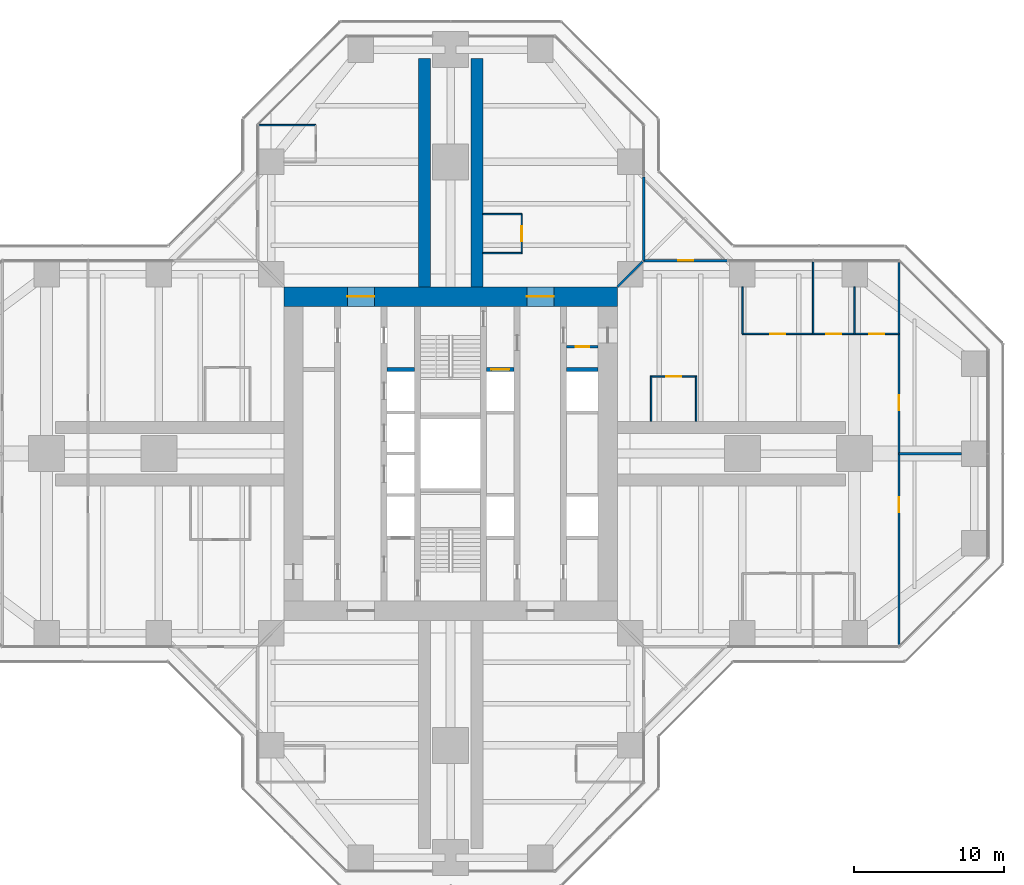
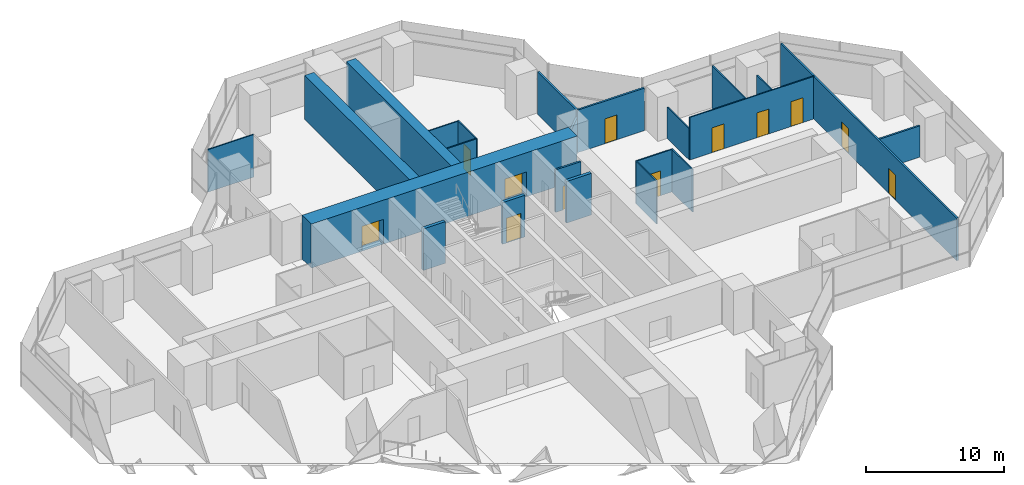
# One storey, part 17 of 20: 23 walls, 12 doors, 12 openings.
"""IFC4 building model written with IfcOpenShell, lengths in metres."""

from ifc_helpers import new_model, si_unit, direction, frame, frame_2d, origin, place, context, subcontext, project, spatial, rectangle, extrude, material, layer, layer_set, type_object, element, fill, save


model = new_model("IFC4")

# Units and contexts
model_context = context("Model", 3, precision=1e-05, world=origin(), true_north=direction((0.0, 1.0)))
body_context = subcontext(model_context, "Body", "Model", "MODEL_VIEW")
ifc_project = project(units=[si_unit("LENGTHUNIT", "METRE"), si_unit("AREAUNIT", "SQUARE_METRE"), si_unit("VOLUMEUNIT", "CUBIC_METRE"), si_unit("PLANEANGLEUNIT", "RADIAN"), si_unit("MASSUNIT", "GRAM", prefix="KILO")], contexts=[model_context])

# Site, building, storey
site_placement = place(None, origin())
site = spatial("IfcSite", under=ifc_project, at=site_placement, CompositionType="ELEMENT")
building_placement = place(site_placement, origin())
building = spatial("IfcBuilding", under=site, at=building_placement, Name="Mizan Broadcast Tower", CompositionType="ELEMENT")
storey_placement = place(building_placement, frame((0.0, 0.0, 147.60009765625)))
storey = spatial("IfcBuildingStorey", under=building, at=storey_placement, Name="L33", CompositionType="ELEMENT", Elevation=147.60009765625)

# Wall, opening, door
ifc_material_1 = material(Name="Concrete blockwork", Category="masonry")
ifc_layer_1 = layer(ifc_material_1, 0.14990234375)
ifc_layer_set_1 = layer_set([ifc_layer_1], Name="Concrete blockwork")
wall_type_1 = type_object("IfcWallType", Name="CORE PARTITION 150", PredefinedType="SOLIDWALL", material=ifc_layer_set_1)
wall_1_placement = place(storey_placement, frame((9.85009765625, 7.14990234375, 0.0), z_axis=(0.0, 0.0, 1.0), x_axis=(-1.0, 0.0, 0.0)))
wall_1 = element("IfcWall", 1, at=wall_1_placement, inside=storey, type_object=wall_type_1, Name="Core partition CORE/XPE", PredefinedType="SOLIDWALL", context=body_context, shape_type="SweptSolid", body=[
    extrude(rectangle(XDim=2.10009765625, YDim=0.14990234375, at=frame_2d((1.050048828125, 0.0))), origin(), (0.0, 0.0, 1.0), 3.77001953125),
])
opening_1_placement = place(wall_1_placement, frame((0.60009765625, 0.0, 0.0)))
opening_1 = element("IfcOpeningElement", 2, at=opening_1_placement, cuts=wall_1, Name="Opening D09F", PredefinedType="OPENING", context=body_context, shape_type="SweptSolid", body=[
    extrude(rectangle(XDim=0.89990234375, YDim=2.10009765625, at=frame_2d((0.449951171875, 1.050048828125))), frame((0.0, 0.0849609375, 0.0), z_axis=(0.0, -1.0, 0.0), x_axis=(1.0, 0.0, 0.0)), (0.0, 0.0, 1.0), 0.169921875),
])
ifc_material_2 = material(Name="Steel door leaf in steel frame", Category="steel")
door_type_1 = type_object("IfcDoorType", Name="CORE ROOM DOOR 900 FD90", OperationType="SINGLE_SWING_LEFT", PredefinedType="DOOR", material=ifc_material_2)
door_1_placement = place(opening_1_placement, origin())
door_1 = element("IfcDoor", 3, at=door_1_placement, inside=storey, type_object=door_type_1, Name="Comms cupboard door", OperationType="SINGLE_SWING_RIGHT", OverallHeight=2.10009765625, OverallWidth=0.89990234375, PredefinedType="DOOR", context=body_context, shape_type="SweptSolid", body=[
    extrude(rectangle(XDim=0.89990234375, YDim=2.10009765625, at=frame_2d((0.449951171875, 1.050048828125))), frame((0.0, 0.02490234375, 0.0), z_axis=(0.0, -1.0, 0.0), x_axis=(1.0, 0.0, 0.0)), (0.0, 0.0, 1.0), 0.050048828125),
])
fill(opening_1, door_1)

# Wall, openings, doors
ifc_material_3 = material(Name="Concrete C70/85", Category="concrete")
ifc_layer_2 = layer(ifc_material_3, 1.300048828125)
ifc_layer_set_2 = layer_set([ifc_layer_2], Name="Concrete C70/85")
wall_type_2 = type_object("IfcWallType", Name="CORE WALL 1300", PredefinedType="SHEAR", material=ifc_layer_set_2)
wall_2_placement = place(storey_placement, frame((-11.14990234375, 10.5, 0.0), z_axis=(0.0, 0.0, 1.0), x_axis=(1.0, 0.0, 0.0)))
wall_2 = element("IfcWall", 4, at=wall_2_placement, inside=storey, type_object=wall_type_2, Name="Core wall N L33", PredefinedType="SHEAR", context=body_context, shape_type="SweptSolid", body=[
    extrude(rectangle(XDim=22.2998046875, YDim=1.300048828125, at=frame_2d((11.14990234375, 0.0))), origin(), (0.0, 0.0, 1.0), 3.89990234375),
])
opening_2_placement = place(wall_2_placement, frame((4.25, 0.0, 0.0)))
opening_2 = element("IfcOpeningElement", 5, at=opening_2_placement, cuts=wall_2, Name="Opening D18F", PredefinedType="OPENING", context=body_context, shape_type="SweptSolid", body=[
    extrude(rectangle(XDim=1.800048828125, YDim=2.199951171875, at=frame_2d((0.89990234375, 1.10009765625))), frame((0.0, 0.659912109375, 0.0), z_axis=(0.0, -1.0, 0.0), x_axis=(1.0, 0.0, 0.0)), (0.0, 0.0, 1.0), 1.320068359375),
])
opening_3_placement = place(wall_2_placement, frame((16.25, 0.0, 0.0)))
opening_3 = element("IfcOpeningElement", 6, at=opening_3_placement, cuts=wall_2, Name="Opening D18F", PredefinedType="OPENING", context=body_context, shape_type="SweptSolid", body=[
    extrude(rectangle(XDim=1.800048828125, YDim=2.199951171875, at=frame_2d((0.89990234375, 1.10009765625))), frame((0.0, 0.659912109375, 0.0), z_axis=(0.0, -1.0, 0.0), x_axis=(1.0, 0.0, 0.0)), (0.0, 0.0, 1.0), 1.320068359375),
])
ifc_material_4 = material(Name="Steel door leaf in steel frame", Category="steel")
door_type_2 = type_object("IfcDoorType", Name="LOBBY DOUBLE DOOR 1800 FD90", OperationType="DOUBLE_DOOR_DOUBLE_SWING", PredefinedType="DOOR", material=ifc_material_4)
door_2_placement = place(opening_2_placement, origin())
door_2 = element("IfcDoor", 7, at=door_2_placement, inside=storey, type_object=door_type_2, Name="West lift lobby north door", OperationType="DOUBLE_DOOR_DOUBLE_SWING", OverallHeight=2.199951171875, OverallWidth=1.800048828125, PredefinedType="DOOR", context=body_context, shape_type="SweptSolid", body=[
    extrude(rectangle(XDim=1.800048828125, YDim=2.199951171875, at=frame_2d((0.89990234375, 1.10009765625))), frame((0.0, 0.02490234375, 0.0), z_axis=(0.0, -1.0, 0.0), x_axis=(1.0, 0.0, 0.0)), (0.0, 0.0, 1.0), 0.050048828125),
])
fill(opening_2, door_2)
door_3_placement = place(opening_3_placement, origin())
door_3 = element("IfcDoor", 8, at=door_3_placement, inside=storey, type_object=door_type_2, Name="East lift lobby north door", OperationType="DOUBLE_DOOR_DOUBLE_SWING", OverallHeight=2.199951171875, OverallWidth=1.800048828125, PredefinedType="DOOR", context=body_context, shape_type="SweptSolid", body=[
    extrude(rectangle(XDim=1.800048828125, YDim=2.199951171875, at=frame_2d((0.89990234375, 1.10009765625))), frame((0.0, 0.02490234375, 0.0), z_axis=(0.0, -1.0, 0.0), x_axis=(1.0, 0.0, 0.0)), (0.0, 0.0, 1.0), 0.050048828125),
])
fill(opening_3, door_3)

# Wall, opening, door
ifc_material_5 = material(Name="Aluminium framed glazed screen", Category="aluminium")
ifc_layer_3 = layer(ifc_material_5, 0.159912109375)
ifc_layer_set_3 = layer_set([ifc_layer_3], Name="Aluminium framed glazed screen")
wall_type_3 = type_object("IfcWallType", Name="GLAZED SCREEN WALL 160", PredefinedType="SOLIDWALL", material=ifc_layer_set_3)
wall_3_placement = place(storey_placement, frame((18.5, 12.89990234375, 0.0), z_axis=(0.0, 0.0, 1.0), x_axis=(-1.0, 0.0, 0.0)))
wall_3 = element("IfcWall", 9, at=wall_3_placement, inside=storey, type_object=wall_type_3, Name="Winter garden screen L33 E", PredefinedType="SOLIDWALL", context=body_context, shape_type="SweptSolid", body=[
    extrude(rectangle(XDim=5.60009765625, YDim=0.159912109375, at=frame_2d((2.800048828125, 0.0))), origin(), (0.0, 0.0, 1.0), 3.77001953125),
])
opening_4_placement = place(wall_3_placement, frame((2.300048828125, 0.0, 0.0)))
opening_4 = element("IfcOpeningElement", 10, at=opening_4_placement, cuts=wall_3, Name="Opening WGD", PredefinedType="OPENING", context=body_context, shape_type="SweptSolid", body=[
    extrude(rectangle(XDim=1.0, YDim=2.199951171875, at=frame_2d((0.5, 1.10009765625))), frame((0.0, 0.08984375, 0.0), z_axis=(0.0, -1.0, 0.0), x_axis=(1.0, 0.0, 0.0)), (0.0, 0.0, 1.0), 0.179931640625),
])
ifc_material_6 = material(Name="Aluminium framed glazed door", Category="aluminium")
door_type_3 = type_object("IfcDoorType", Name="WINTER GARDEN DOOR 1000 GLAZED", OperationType="SINGLE_SWING_LEFT", PredefinedType="DOOR", material=ifc_material_6)
door_4_placement = place(opening_4_placement, origin())
door_4 = element("IfcDoor", 11, at=door_4_placement, inside=storey, type_object=door_type_3, Name="Winter garden door L33 E", OperationType="SINGLE_SWING_RIGHT", OverallHeight=2.199951171875, OverallWidth=1.0, PredefinedType="DOOR", context=body_context, shape_type="SweptSolid", body=[
    extrude(rectangle(XDim=1.0, YDim=2.199951171875, at=frame_2d((0.5, 1.10009765625))), frame((0.0, 0.02490234375, 0.0), z_axis=(0.0, -1.0, 0.0), x_axis=(1.0, 0.0, 0.0)), (0.0, 0.0, 1.0), 0.050048828125),
])
fill(opening_4, door_4)

# Walls
wall_4_placement = place(storey_placement, frame((12.89990234375, 12.89990234375, 0.0), z_axis=(0.0, 0.0, 1.0), x_axis=(0.0, 1.0, 0.0)))
element("IfcWall", 12, at=wall_4_placement, inside=storey, type_object=wall_type_3, Name="Winter garden screen L33 N", PredefinedType="SOLIDWALL", context=body_context, shape_type="SweptSolid", body=[
    extrude(rectangle(XDim=5.60009765625, YDim=0.159912109375, at=frame_2d((2.800048828125, 0.0))), origin(), (0.0, 0.0, 1.0), 3.77001953125),
])
ifc_material_7 = material(Name="Concrete blockwork", Category="masonry")
ifc_layer_4 = layer(ifc_material_7, 0.25)
ifc_layer_set_4 = layer_set([ifc_layer_4], Name="Concrete blockwork")
wall_type_4 = type_object("IfcWallType", Name="LOBBY ENCLOSURE WALL 250", PredefinedType="SOLIDWALL", material=ifc_layer_set_4)
wall_5_placement = place(storey_placement, frame((-4.25, 5.625, 0.0), z_axis=(0.0, 0.0, 1.0), x_axis=(1.0, 0.0, 0.0)))
element("IfcWall", 13, at=wall_5_placement, inside=storey, type_object=wall_type_4, Name="Lobby enclosure wall CORE/BW2N", PredefinedType="SOLIDWALL", context=body_context, shape_type="SweptSolid", body=[
    extrude(rectangle(XDim=1.85009765625, YDim=0.25, at=frame_2d((0.925048828125, 0.0))), origin(), (0.0, 0.0, 1.0), 3.699951171875),
])

# Wall, opening, door
wall_6_placement = place(storey_placement, frame((2.39990234375, 5.625, 0.0), z_axis=(0.0, 0.0, 1.0), x_axis=(1.0, 0.0, 0.0)))
wall_6 = element("IfcWall", 14, at=wall_6_placement, inside=storey, type_object=wall_type_4, Name="Lobby enclosure wall CORE/BE2N", PredefinedType="SOLIDWALL", context=body_context, shape_type="SweptSolid", body=[
    extrude(rectangle(XDim=1.85009765625, YDim=0.25, at=frame_2d((0.925048828125, 0.0))), origin(), (0.0, 0.0, 1.0), 3.699951171875),
])
opening_5_placement = place(wall_6_placement, frame((0.324951171875, 0.0, 0.0)))
opening_5 = element("IfcOpeningElement", 15, at=opening_5_placement, cuts=wall_6, Name="Opening LDF", PredefinedType="OPENING", context=body_context, shape_type="SweptSolid", body=[
    extrude(rectangle(XDim=1.199951171875, YDim=2.199951171875, at=frame_2d((0.60009765625, 1.10009765625))), frame((0.0, 0.135009765625, 0.0), z_axis=(0.0, -1.0, 0.0), x_axis=(1.0, 0.0, 0.0)), (0.0, 0.0, 1.0), 0.27001953125),
])
ifc_material_8 = material(Name="Steel door leaf in steel frame", Category="steel")
door_type_4 = type_object("IfcDoorType", Name="FIREFIGHTING LIFT LANDING DOOR 1200", OperationType="SLIDING_TO_LEFT", PredefinedType="DOOR", material=ifc_material_8)
door_5_placement = place(opening_5_placement, origin())
door_5 = element("IfcDoor", 16, at=door_5_placement, inside=storey, type_object=door_type_4, Name="Landing door FF2", OperationType="SLIDING_TO_LEFT", OverallHeight=2.199951171875, OverallWidth=1.199951171875, PredefinedType="DOOR", context=body_context, shape_type="SweptSolid", body=[
    extrude(rectangle(XDim=1.199951171875, YDim=2.199951171875, at=frame_2d((0.60009765625, 1.10009765625))), frame((0.0, 0.02490234375, 0.0), z_axis=(0.0, -1.0, 0.0), x_axis=(1.0, 0.0, 0.0)), (0.0, 0.0, 1.0), 0.050048828125),
])
fill(opening_5, door_5)

# Wall
wall_7_placement = place(storey_placement, frame((7.75, 5.625, 0.0), z_axis=(0.0, 0.0, 1.0), x_axis=(1.0, 0.0, 0.0)))
element("IfcWall", 17, at=wall_7_placement, inside=storey, type_object=wall_type_4, Name="Lobby enclosure wall CORE/BE1N", PredefinedType="SOLIDWALL", context=body_context, shape_type="SweptSolid", body=[
    extrude(rectangle(XDim=2.10009765625, YDim=0.25, at=frame_2d((1.050048828125, 0.0))), origin(), (0.0, 0.0, 1.0), 3.699951171875),
])

# Wall, openings, doors
ifc_material_9 = material(Name="Gypsum board on steel studs", Category="steel")
ifc_layer_5 = layer(ifc_material_9, 0.14990234375)
ifc_layer_set_5 = layer_set([ifc_layer_5], Name="Gypsum board on steel studs")
wall_type_5 = type_object("IfcWallType", Name="PARTITION 150", PredefinedType="PARTITIONING", material=ifc_layer_set_5)
wall_8_placement = place(storey_placement, frame((29.958984375, -12.786376953125, 0.0), z_axis=(0.0, 0.0, 1.0), x_axis=(0.0, 1.0, 0.0)))
wall_8 = element("IfcWall", 18, at=wall_8_placement, inside=storey, type_object=wall_type_5, Name="Partition PT/EX1", PredefinedType="PARTITIONING", context=body_context, shape_type="SweptSolid", body=[
    extrude(rectangle(XDim=25.57275390625, YDim=0.14990234375, at=frame_2d((12.786376953125, 0.0))), origin(), (0.0, 0.0, 1.0), 3.77001953125),
])
opening_6_placement = place(wall_8_placement, frame((15.6865234375, 0.0, 0.0)))
opening_6 = element("IfcOpeningElement", 19, at=opening_6_placement, cuts=wall_8, Name="Opening D10", PredefinedType="OPENING", context=body_context, shape_type="SweptSolid", body=[
    extrude(rectangle(XDim=1.0, YDim=2.199951171875, at=frame_2d((0.5, 1.10009765625))), frame((0.0, 0.0849609375, 0.0), z_axis=(0.0, -1.0, 0.0), x_axis=(1.0, 0.0, 0.0)), (0.0, 0.0, 1.0), 0.169921875),
])
opening_7_placement = place(wall_8_placement, frame((8.886474609375, 0.0, 0.0)))
opening_7 = element("IfcOpeningElement", 20, at=opening_7_placement, cuts=wall_8, Name="Opening D10", PredefinedType="OPENING", context=body_context, shape_type="SweptSolid", body=[
    extrude(rectangle(XDim=1.0, YDim=2.199951171875, at=frame_2d((0.5, 1.10009765625))), frame((0.0, 0.0849609375, 0.0), z_axis=(0.0, -1.0, 0.0), x_axis=(1.0, 0.0, 0.0)), (0.0, 0.0, 1.0), 0.169921875),
])
ifc_material_10 = material(Name="Timber door leaf in aluminium frame", Category="wood")
door_type_5 = type_object("IfcDoorType", Name="ROOM DOOR 1000", OperationType="SINGLE_SWING_LEFT", PredefinedType="DOOR", material=ifc_material_10)
door_6_placement = place(opening_6_placement, origin())
door_6 = element("IfcDoor", 21, at=door_6_placement, inside=storey, type_object=door_type_5, Name="Open office door", OperationType="SINGLE_SWING_RIGHT", OverallHeight=2.199951171875, OverallWidth=1.0, PredefinedType="DOOR", context=body_context, shape_type="SweptSolid", body=[
    extrude(rectangle(XDim=1.0, YDim=2.199951171875, at=frame_2d((0.5, 1.10009765625))), frame((0.0, 0.02490234375, 0.0), z_axis=(0.0, -1.0, 0.0), x_axis=(1.0, 0.0, 0.0)), (0.0, 0.0, 1.0), 0.050048828125),
])
fill(opening_6, door_6)
door_7_placement = place(opening_7_placement, origin())
door_7 = element("IfcDoor", 22, at=door_7_placement, inside=storey, type_object=door_type_5, Name="Open office door", OperationType="SINGLE_SWING_LEFT", OverallHeight=2.199951171875, OverallWidth=1.0, PredefinedType="DOOR", context=body_context, shape_type="SweptSolid", body=[
    extrude(rectangle(XDim=1.0, YDim=2.199951171875, at=frame_2d((0.5, 1.10009765625))), frame((0.0, 0.02490234375, 0.0), z_axis=(0.0, -1.0, 0.0), x_axis=(1.0, 0.0, 0.0)), (0.0, 0.0, 1.0), 0.050048828125),
])
fill(opening_7, door_7)

# Walls
wall_9_placement = place(storey_placement, frame((29.958984375, 0.0, 0.0), z_axis=(0.0, 0.0, 1.0), x_axis=(1.0, 0.0, 0.0)))
element("IfcWall", 23, at=wall_9_placement, inside=storey, type_object=wall_type_5, Name="Partition PT/EES", PredefinedType="PARTITIONING", context=body_context, shape_type="SweptSolid", body=[
    extrude(rectangle(XDim=4.19091796875, YDim=0.14990234375, at=frame_2d((2.095458984375, 0.0))), origin(), (0.0, 0.0, 1.0), 2.77001953125),
])
wall_10_placement = place(storey_placement, frame((11.14990234375, 11.14990234375, 0.0), z_axis=(0.0, 0.0, 1.0), x_axis=(0.707106781187, 0.707106781187, 0.0)))
element("IfcWall", 24, at=wall_10_placement, inside=storey, type_object=wall_type_5, Name="Partition PT/DGEN", PredefinedType="PARTITIONING", context=body_context, shape_type="SweptSolid", body=[
    extrude(rectangle(XDim=2.362060546875, YDim=0.14990234375, at=frame_2d((1.18115234375, 0.0))), origin(), (0.0, 0.0, 1.0), 3.219970703125),
])

# Wall, openings, doors
ifc_material_11 = material(Name="Glazed aluminium partition on aluminium track", Category="aluminium")
ifc_layer_6 = layer(ifc_material_11, 0.10009765625)
ifc_layer_set_6 = layer_set([ifc_layer_6], Name="Glazed aluminium partition on aluminium track")
wall_type_6 = type_object("IfcWallType", Name="PARTITION GLAZED OFFICE FRONT 100", PredefinedType="PARTITIONING", material=ifc_layer_set_6)
wall_11_placement = place(storey_placement, frame((19.5, 8.0, 0.0), z_axis=(0.0, 0.0, 1.0), x_axis=(1.0, 0.0, 0.0)))
wall_11 = element("IfcWall", 25, at=wall_11_placement, inside=storey, type_object=wall_type_6, Name="Glazed office front PT/ECP0", PredefinedType="PARTITIONING", context=body_context, shape_type="SweptSolid", body=[
    extrude(rectangle(XDim=10.458984375, YDim=0.10009765625, at=frame_2d((5.2294921875, 0.0))), origin(), (0.0, 0.0, 1.0), 3.77001953125),
])
opening_8_placement = place(wall_11_placement, frame((1.864501953125, 0.0, 0.0)))
opening_8 = element("IfcOpeningElement", 26, at=opening_8_placement, cuts=wall_11, Name="Opening D10O", PredefinedType="OPENING", context=body_context, shape_type="SweptSolid", body=[
    extrude(rectangle(XDim=1.0, YDim=2.199951171875, at=frame_2d((0.5, 1.10009765625))), frame((0.0, 0.06005859375, 0.0), z_axis=(0.0, -1.0, 0.0), x_axis=(1.0, 0.0, 0.0)), (0.0, 0.0, 1.0), 0.1201171875),
])
opening_9_placement = place(wall_11_placement, frame((5.614501953125, 0.0, 0.0)))
opening_9 = element("IfcOpeningElement", 27, at=opening_9_placement, cuts=wall_11, Name="Opening D10O", PredefinedType="OPENING", context=body_context, shape_type="SweptSolid", body=[
    extrude(rectangle(XDim=1.0, YDim=2.199951171875, at=frame_2d((0.5, 1.10009765625))), frame((0.0, 0.06005859375, 0.0), z_axis=(0.0, -1.0, 0.0), x_axis=(1.0, 0.0, 0.0)), (0.0, 0.0, 1.0), 0.1201171875),
])
opening_10_placement = place(wall_11_placement, frame((8.4794921875, 0.0, 0.0)))
opening_10 = element("IfcOpeningElement", 28, at=opening_10_placement, cuts=wall_11, Name="Opening D10O", PredefinedType="OPENING", context=body_context, shape_type="SweptSolid", body=[
    extrude(rectangle(XDim=1.0, YDim=2.199951171875, at=frame_2d((0.5, 1.10009765625))), frame((0.0, 0.06005859375, 0.0), z_axis=(0.0, -1.0, 0.0), x_axis=(1.0, 0.0, 0.0)), (0.0, 0.0, 1.0), 0.1201171875),
])
ifc_material_12 = material(Name="Timber door leaf in aluminium frame", Category="wood")
door_type_6 = type_object("IfcDoorType", Name="OFFICE DOOR 1000 GLAZED", OperationType="SINGLE_SWING_LEFT", PredefinedType="DOOR", material=ifc_material_12)
door_8_placement = place(opening_8_placement, origin())
door_8 = element("IfcDoor", 29, at=door_8_placement, inside=storey, type_object=door_type_6, Name="Office door", OperationType="SINGLE_SWING_LEFT", OverallHeight=2.199951171875, OverallWidth=1.0, PredefinedType="DOOR", context=body_context, shape_type="SweptSolid", body=[
    extrude(rectangle(XDim=1.0, YDim=2.199951171875, at=frame_2d((0.5, 1.10009765625))), frame((0.0, 0.02490234375, 0.0), z_axis=(0.0, -1.0, 0.0), x_axis=(1.0, 0.0, 0.0)), (0.0, 0.0, 1.0), 0.050048828125),
])
fill(opening_8, door_8)
door_9_placement = place(opening_9_placement, origin())
door_9 = element("IfcDoor", 30, at=door_9_placement, inside=storey, type_object=door_type_6, Name="Office door", OperationType="SINGLE_SWING_RIGHT", OverallHeight=2.199951171875, OverallWidth=1.0, PredefinedType="DOOR", context=body_context, shape_type="SweptSolid", body=[
    extrude(rectangle(XDim=1.0, YDim=2.199951171875, at=frame_2d((0.5, 1.10009765625))), frame((0.0, 0.02490234375, 0.0), z_axis=(0.0, -1.0, 0.0), x_axis=(1.0, 0.0, 0.0)), (0.0, 0.0, 1.0), 0.050048828125),
])
fill(opening_9, door_9)
door_10_placement = place(opening_10_placement, origin())
door_10 = element("IfcDoor", 31, at=door_10_placement, inside=storey, type_object=door_type_6, Name="Office door", OperationType="SINGLE_SWING_RIGHT", OverallHeight=2.199951171875, OverallWidth=1.0, PredefinedType="DOOR", context=body_context, shape_type="SweptSolid", body=[
    extrude(rectangle(XDim=1.0, YDim=2.199951171875, at=frame_2d((0.5, 1.10009765625))), frame((0.0, 0.02490234375, 0.0), z_axis=(0.0, -1.0, 0.0), x_axis=(1.0, 0.0, 0.0)), (0.0, 0.0, 1.0), 0.050048828125),
])
fill(opening_10, door_10)

# Walls
wall_12_placement = place(storey_placement, frame((19.5, 8.0, 0.0), z_axis=(0.0, 0.0, 1.0), x_axis=(0.0, 1.0, 0.0)))
element("IfcWall", 32, at=wall_12_placement, inside=storey, type_object=wall_type_6, Name="Glazed office front PT/EQP1950", PredefinedType="PARTITIONING", context=body_context, shape_type="SweptSolid", body=[
    extrude(rectangle(XDim=3.14990234375, YDim=0.10009765625, at=frame_2d((1.574951171875, 0.0))), origin(), (0.0, 0.0, 1.0), 2.77001953125),
])
wall_13_placement = place(storey_placement, frame((24.22900390625, 8.0, 0.0), z_axis=(0.0, 0.0, 1.0), x_axis=(0.0, 1.0, 0.0)))
element("IfcWall", 33, at=wall_13_placement, inside=storey, type_object=wall_type_6, Name="Glazed office front PT/EQP2423", PredefinedType="PARTITIONING", context=body_context, shape_type="SweptSolid", body=[
    extrude(rectangle(XDim=4.820068359375, YDim=0.10009765625, at=frame_2d((2.41015625, 0.0))), origin(), (0.0, 0.0, 1.0), 3.77001953125),
])
wall_14_placement = place(storey_placement, frame((27.0, 8.0, 0.0), z_axis=(0.0, 0.0, 1.0), x_axis=(0.0, 1.0, 0.0)))
element("IfcWall", 34, at=wall_14_placement, inside=storey, type_object=wall_type_6, Name="Glazed office front PT/EQP2700", PredefinedType="PARTITIONING", context=body_context, shape_type="SweptSolid", body=[
    extrude(rectangle(XDim=3.14990234375, YDim=0.10009765625, at=frame_2d((1.574951171875, 0.0))), origin(), (0.0, 0.0, 1.0), 2.969970703125),
])
for number, where, z_axis, x_axis, name in (
    (35, (13.39990234375, 2.14990234375, 0.0), (0.0, 0.0, 1.0), (0.0, 1.0, 0.0), "Glazed office front PT/EKP0a"),
    (36, (16.39990234375, 2.14990234375, 0.0), (0.0, 0.0, 1.0), (0.0, 1.0, 0.0), "Glazed office front PT/EKP0b"),
):
    element("IfcWall", number, at=place(storey_placement, frame(where, z_axis=z_axis, x_axis=x_axis)), inside=storey, type_object=wall_type_6, Name=name, PredefinedType="PARTITIONING", context=body_context, shape_type="SweptSolid", body=[
        extrude(rectangle(XDim=3.0, YDim=0.10009765625, at=frame_2d((1.5, 0.0))), origin(), (0.0, 0.0, 1.0), 3.77001953125),
    ])

# Wall, opening, door
wall_15_placement = place(storey_placement, frame((13.35009765625, 5.14990234375, 0.0), z_axis=(0.0, 0.0, 1.0), x_axis=(1.0, 0.0, 0.0)))
wall_15 = element("IfcWall", 37, at=wall_15_placement, inside=storey, type_object=wall_type_6, Name="Glazed office front PT/EKP0f", PredefinedType="PARTITIONING", context=body_context, shape_type="SweptSolid", body=[
    extrude(rectangle(XDim=3.099853515625, YDim=0.10009765625, at=frame_2d((1.5498046875, 0.0))), origin(), (0.0, 0.0, 1.0), 3.77001953125),
])
opening_11_placement = place(wall_15_placement, frame((1.050048828125, 0.0, 0.0)))
opening_11 = element("IfcOpeningElement", 38, at=opening_11_placement, cuts=wall_15, Name="Opening D10O", PredefinedType="OPENING", context=body_context, shape_type="SweptSolid", body=[
    extrude(rectangle(XDim=1.0, YDim=2.199951171875, at=frame_2d((0.5, 1.10009765625))), frame((0.0, 0.06005859375, 0.0), z_axis=(0.0, -1.0, 0.0), x_axis=(1.0, 0.0, 0.0)), (0.0, 0.0, 1.0), 0.1201171875),
])
door_11_placement = place(opening_11_placement, origin())
door_11 = element("IfcDoor", 39, at=door_11_placement, inside=storey, type_object=door_type_6, Name="Pantry door", OperationType="SINGLE_SWING_LEFT", OverallHeight=2.199951171875, OverallWidth=1.0, PredefinedType="DOOR", context=body_context, shape_type="SweptSolid", body=[
    extrude(rectangle(XDim=1.0, YDim=2.199951171875, at=frame_2d((0.5, 1.10009765625))), frame((0.0, 0.02490234375, 0.0), z_axis=(0.0, -1.0, 0.0), x_axis=(1.0, 0.0, 0.0)), (0.0, 0.0, 1.0), 0.050048828125),
])
fill(opening_11, door_11)

# Walls
wall_16_placement = place(storey_placement, frame((-9.0, 21.958984375, 0.0), z_axis=(0.0, 0.0, 1.0), x_axis=(-1.0, 0.0, 0.0)))
element("IfcWall", 40, at=wall_16_placement, inside=storey, type_object=wall_type_6, Name="Glazed office front PT/NQP2196", PredefinedType="PARTITIONING", context=body_context, shape_type="SweptSolid", body=[
    extrude(rectangle(XDim=3.820068359375, YDim=0.10009765625, at=frame_2d((1.91015625, 0.0))), origin(), (0.0, 0.0, 1.0), 3.77001953125),
])
for number, where, z_axis, x_axis, name in (
    (41, (2.14990234375, 13.39990234375, 0.0), (0.0, 0.0, 1.0), (1.0, 0.0, 0.0), "Glazed office front PT/NKN0a"),
    (42, (2.14990234375, 16.0, 0.0), (0.0, 0.0, 1.0), (1.0, 0.0, 0.0), "Glazed office front PT/NKN0b"),
):
    element("IfcWall", number, at=place(storey_placement, frame(where, z_axis=z_axis, x_axis=x_axis)), inside=storey, type_object=wall_type_6, Name=name, PredefinedType="PARTITIONING", context=body_context, shape_type="SweptSolid", body=[
        extrude(rectangle(XDim=2.60009765625, YDim=0.10009765625, at=frame_2d((1.300048828125, 0.0))), origin(), (0.0, 0.0, 1.0), 3.77001953125),
    ])

# Wall, opening, door
wall_17_placement = place(storey_placement, frame((4.75, 13.35009765625, 0.0), z_axis=(0.0, 0.0, 1.0), x_axis=(0.0, 1.0, 0.0)))
wall_17 = element("IfcWall", 43, at=wall_17_placement, inside=storey, type_object=wall_type_6, Name="Glazed office front PT/NKN0f", PredefinedType="PARTITIONING", context=body_context, shape_type="SweptSolid", body=[
    extrude(rectangle(XDim=2.699951171875, YDim=0.10009765625, at=frame_2d((1.35009765625, 0.0))), origin(), (0.0, 0.0, 1.0), 3.77001953125),
])
opening_12_placement = place(wall_17_placement, frame((0.85009765625, 0.0, 0.0)))
opening_12 = element("IfcOpeningElement", 44, at=opening_12_placement, cuts=wall_17, Name="Opening D10O", PredefinedType="OPENING", context=body_context, shape_type="SweptSolid", body=[
    extrude(rectangle(XDim=1.0, YDim=2.199951171875, at=frame_2d((0.5, 1.10009765625))), frame((0.0, 0.06005859375, 0.0), z_axis=(0.0, -1.0, 0.0), x_axis=(1.0, 0.0, 0.0)), (0.0, 0.0, 1.0), 0.1201171875),
])
door_12_placement = place(opening_12_placement, origin())
door_12 = element("IfcDoor", 45, at=door_12_placement, inside=storey, type_object=door_type_6, Name="Quiet room door", OperationType="SINGLE_SWING_LEFT", OverallHeight=2.199951171875, OverallWidth=1.0, PredefinedType="DOOR", context=body_context, shape_type="SweptSolid", body=[
    extrude(rectangle(XDim=1.0, YDim=2.199951171875, at=frame_2d((0.5, 1.10009765625))), frame((0.0, 0.02490234375, 0.0), z_axis=(0.0, -1.0, 0.0), x_axis=(1.0, 0.0, 0.0)), (0.0, 0.0, 1.0), 0.050048828125),
])
fill(opening_12, door_12)

# Walls
ifc_material_13 = material(Name="Concrete C70/85", Category="concrete")
ifc_layer_7 = layer(ifc_material_13, 0.800048828125)
ifc_layer_set_7 = layer_set([ifc_layer_7], Name="Concrete C70/85")
wall_type_7 = type_object("IfcWallType", Name="SPINE WALL 800", PredefinedType="SHEAR", material=ifc_layer_set_7)
for number, where, z_axis, x_axis, name in (
    (46, (1.75, 11.14990234375, 0.0), (0.0, 0.0, 1.0), (0.0, 1.0, 0.0), "Spine wall NR L33"),
    (47, (-1.75, 11.14990234375, 0.0), (0.0, 0.0, 1.0), (0.0, 1.0, 0.0), "Spine wall NL L33"),
):
    element("IfcWall", number, at=place(storey_placement, frame(where, z_axis=z_axis, x_axis=x_axis)), inside=storey, type_object=wall_type_7, Name=name, PredefinedType="SHEAR", context=body_context, shape_type="SweptSolid", body=[
        extrude(rectangle(XDim=15.25, YDim=0.800048828125, at=frame_2d((7.625, 0.0))), origin(), (0.0, 0.0, 1.0), 3.89990234375),
    ])

save(model, "model.ifc")
